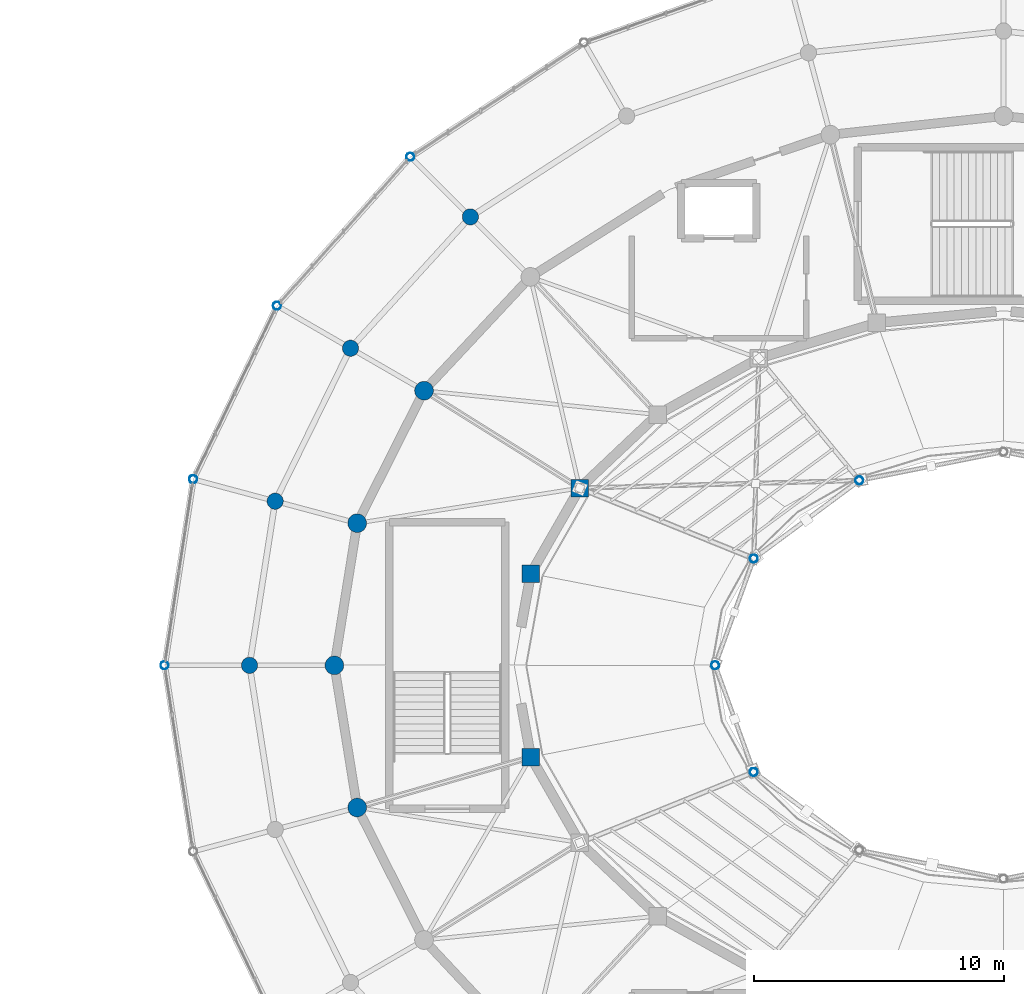
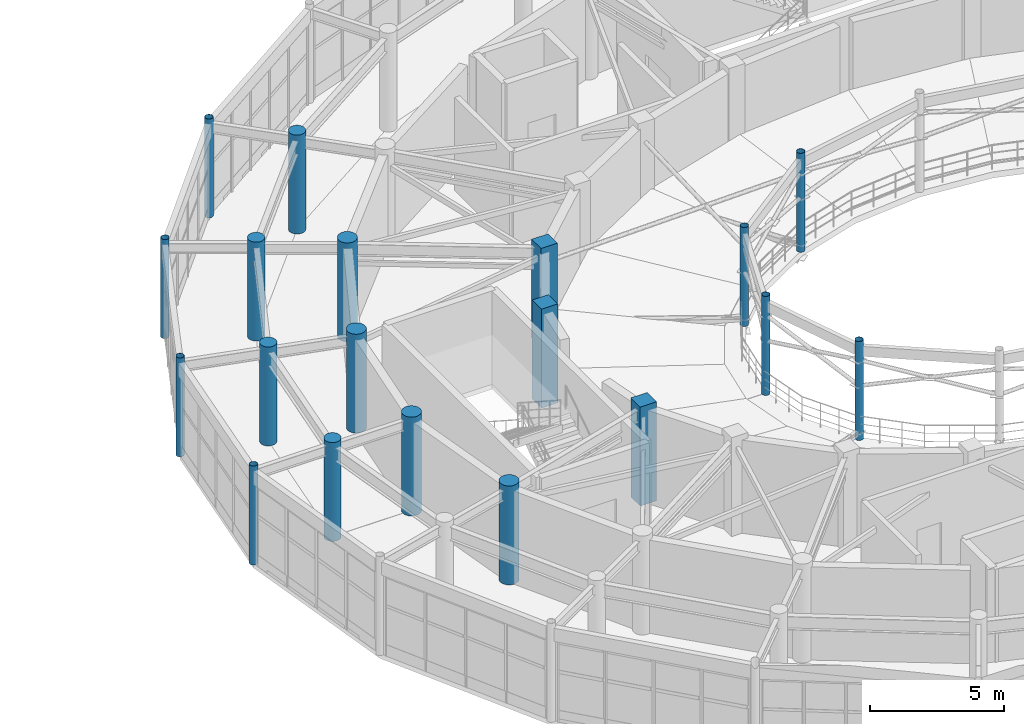
# One storey, part 8 of 112: 19 columns.
"""IFC4 building model written with IfcOpenShell, lengths in metres."""

from ifc_helpers import new_model, si_unit, direction, frame, origin, origin_2d, place, context, subcontext, project, spatial, rectangle, circle, hollow_circle, extrude, material, material_profile, profile_set, type_object, element, save


model = new_model("IFC4")

# Units and contexts
model_context = context("Model", 3, precision=1e-05, world=origin(), true_north=direction((0.0, 1.0)))
body_context = subcontext(model_context, "Body", "Model", "MODEL_VIEW")
ifc_project = project(units=[si_unit("LENGTHUNIT", "METRE"), si_unit("AREAUNIT", "SQUARE_METRE"), si_unit("VOLUMEUNIT", "CUBIC_METRE"), si_unit("PLANEANGLEUNIT", "RADIAN"), si_unit("MASSUNIT", "GRAM", prefix="KILO")], contexts=[model_context])

# Site, building, storey
site_placement = place(None, origin())
site = spatial("IfcSite", under=ifc_project, at=site_placement, CompositionType="ELEMENT")
building_placement = place(site_placement, origin())
building = spatial("IfcBuilding", under=site, at=building_placement, Name="Cinderbank Siding Concert Hall", CompositionType="ELEMENT")
storey_placement = place(building_placement, frame((0.0, 0.0, 10.199951171875)))
storey = spatial("IfcBuildingStorey", under=building, at=storey_placement, Name="L03", CompositionType="ELEMENT", Elevation=10.199951171875)

# Columns
ifc_material_1 = material(Name="Structural steel hollow section AS/NZS 1163 Grade C350L0 (350 MPa)", Category="steel")
ifc_material_profile_1 = material_profile(ifc_material_1, hollow_circle(Radius=0.161865234375, WallThickness=0.0126953125, at=origin_2d()), Name="323.9x12.7CHS", Category="LoadBearing")
ifc_profile_set_1 = profile_set([ifc_material_profile_1], Name="Structural steel hollow section AS/NZS 1163 Grade C350L0 (350 MPa)")
column_type_1 = type_object("IfcColumnType", Name="C-CHS323 323.9x12.7CHS", PredefinedType="COLUMN", material=ifc_profile_set_1)
for number, where, z_axis, x_axis, name in (
    (1, (98.240966796875, 64.364990234375, 0.0), (0.0, 0.0, 1.0), (1.0, 0.0, 0.0), "L03 Column COL-E4-10"),
    (2, (92.90087890625, 58.39990234375, 0.0), (0.0, 0.0, 1.0), (1.0, 0.0, 0.0), "L03 Column COL-E4-11"),
    (3, (89.544921875, 51.4541015625, 0.0), (0.0, 0.0, 1.0), (1.0, 0.0, 0.0), "L03 Column COL-E4-12"),
    (4, (88.39990234375, 44.0, 0.0), (0.0, 0.0, 1.0), (1.0, 0.0, 0.0), "L03 Column COL-E4-13"),
    (5, (116.22509765625, 51.404052734375, 0.0), (0.0, 0.0, 1.0), (1.0, 0.0, 0.0), "L03 Column COL-E0-09"),
    (6, (111.9970703125, 48.27490234375, 0.0), (0.0, 0.0, 1.0), (1.0, 0.0, 0.0), "L03 Column COL-E0-11"),
    (7, (110.449951171875, 44.0, 0.0), (0.0, 0.0, 1.0), (1.0, 0.0, 0.0), "L03 Column COL-E0-13"),
    (8, (111.9970703125, 39.72509765625, 0.0), (0.0, 0.0, 1.0), (1.0, 0.0, 0.0), "L03 Column COL-E0-15"),
):
    element("IfcColumn", number, at=place(storey_placement, frame(where, z_axis=z_axis, x_axis=x_axis)), inside=storey, type_object=column_type_1, Name=name, PredefinedType="COLUMN", context=body_context, shape_type="SweptSolid", body=[
        extrude(hollow_circle(Radius=0.161865234375, WallThickness=0.0126953125, at=origin_2d()), origin(), (0.0, 0.0, 1.0), 4.5),
    ])
ifc_material_2 = material(Name="Reinforced concrete AS 3600 N50 (50 MPa)", Category="concrete")
ifc_material_profile_2 = material_profile(ifc_material_2, rectangle(XDim=0.699951171875, YDim=0.699951171875, at=origin_2d()), Name="RC-COL-700x700", Category="LoadBearing")
ifc_profile_set_2 = profile_set([ifc_material_profile_2], Name="Reinforced concrete AS 3600 N50 (50 MPa)")
column_type_2 = type_object("IfcColumnType", Name="C-RC700 RC-COL-700x700", PredefinedType="COLUMN", material=ifc_profile_set_2)
for number, where, z_axis, x_axis, name in (
    (9, (105.02587890625, 51.10009765625, 0.0), (0.0, 0.0, 1.0), (1.0, 0.0, 0.0), "L03 Column COL-E1-11"),
    (10, (103.068115234375, 47.675048828125, 0.0), (0.0, 0.0, 1.0), (1.0, 0.0, 0.0), "L03 Column COL-E1-12"),
    (11, (103.068115234375, 40.324951171875, 0.0), (0.0, 0.0, 1.0), (1.0, 0.0, 0.0), "L03 Column COL-E1-14"),
):
    element("IfcColumn", number, at=place(storey_placement, frame(where, z_axis=z_axis, x_axis=x_axis)), inside=storey, type_object=column_type_2, Name=name, PredefinedType="COLUMN", context=body_context, shape_type="SweptSolid", body=[
        extrude(rectangle(XDim=0.699951171875, YDim=0.699951171875, at=origin_2d()), origin(), (0.0, 0.0, 1.0), 4.5),
    ])
ifc_material_profile_3 = material_profile(ifc_material_2, circle(Radius=0.324951171875, at=origin_2d()), Name="RC-COL-650DIA", Category="LoadBearing")
ifc_profile_set_3 = profile_set([ifc_material_profile_3], Name="Reinforced concrete AS 3600 N50 (50 MPa)")
column_type_3 = type_object("IfcColumnType", Name="C-RCD650 RC-COL-650DIA", PredefinedType="COLUMN", material=ifc_profile_set_3)
for number, where, z_axis, x_axis, name in (
    (12, (100.64501953125, 61.9609375, 0.0), (0.0, 0.0, 1.0), (1.0, 0.0, 0.0), "L03 Column COL-E3-10"),
    (13, (95.845947265625, 56.699951171875, 0.0), (0.0, 0.0, 1.0), (1.0, 0.0, 0.0), "L03 Column COL-E3-11"),
    (14, (92.8291015625, 50.573974609375, 0.0), (0.0, 0.0, 1.0), (1.0, 0.0, 0.0), "L03 Column COL-E3-12"),
    (15, (91.800048828125, 44.0, 0.0), (0.0, 0.0, 1.0), (1.0, 0.0, 0.0), "L03 Column COL-E3-13"),
):
    element("IfcColumn", number, at=place(storey_placement, frame(where, z_axis=z_axis, x_axis=x_axis)), inside=storey, type_object=column_type_3, Name=name, PredefinedType="COLUMN", context=body_context, shape_type="SweptSolid", body=[
        extrude(circle(Radius=0.324951171875, at=origin_2d()), origin(), (0.0, 0.0, 1.0), 4.5),
    ])
ifc_material_profile_4 = material_profile(ifc_material_2, circle(Radius=0.375, at=origin_2d()), Name="RC-COL-750DIA", Category="LoadBearing")
ifc_profile_set_4 = profile_set([ifc_material_profile_4], Name="Reinforced concrete AS 3600 N50 (50 MPa)")
column_type_4 = type_object("IfcColumnType", Name="C-RCD750 RC-COL-750DIA", PredefinedType="COLUMN", material=ifc_profile_set_4)
for number, where, z_axis, x_axis, name in (
    (16, (98.7900390625, 55.0, 0.0), (0.0, 0.0, 1.0), (1.0, 0.0, 0.0), "L03 Column COL-E2-11"),
    (17, (96.113037109375, 49.694091796875, 0.0), (0.0, 0.0, 1.0), (1.0, 0.0, 0.0), "L03 Column COL-E2-12"),
    (18, (95.199951171875, 44.0, 0.0), (0.0, 0.0, 1.0), (1.0, 0.0, 0.0), "L03 Column COL-E2-13"),
    (19, (96.113037109375, 38.305908203125, 0.0), (0.0, 0.0, 1.0), (1.0, 0.0, 0.0), "L03 Column COL-E2-14"),
):
    element("IfcColumn", number, at=place(storey_placement, frame(where, z_axis=z_axis, x_axis=x_axis)), inside=storey, type_object=column_type_4, Name=name, PredefinedType="COLUMN", context=body_context, shape_type="SweptSolid", body=[
        extrude(circle(Radius=0.375, at=origin_2d()), origin(), (0.0, 0.0, 1.0), 4.5),
    ])

save(model, "model.ifc")
